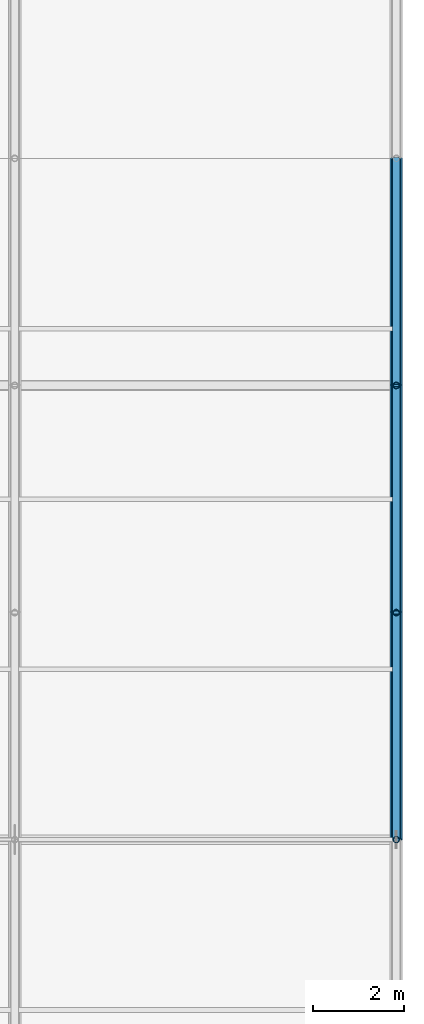
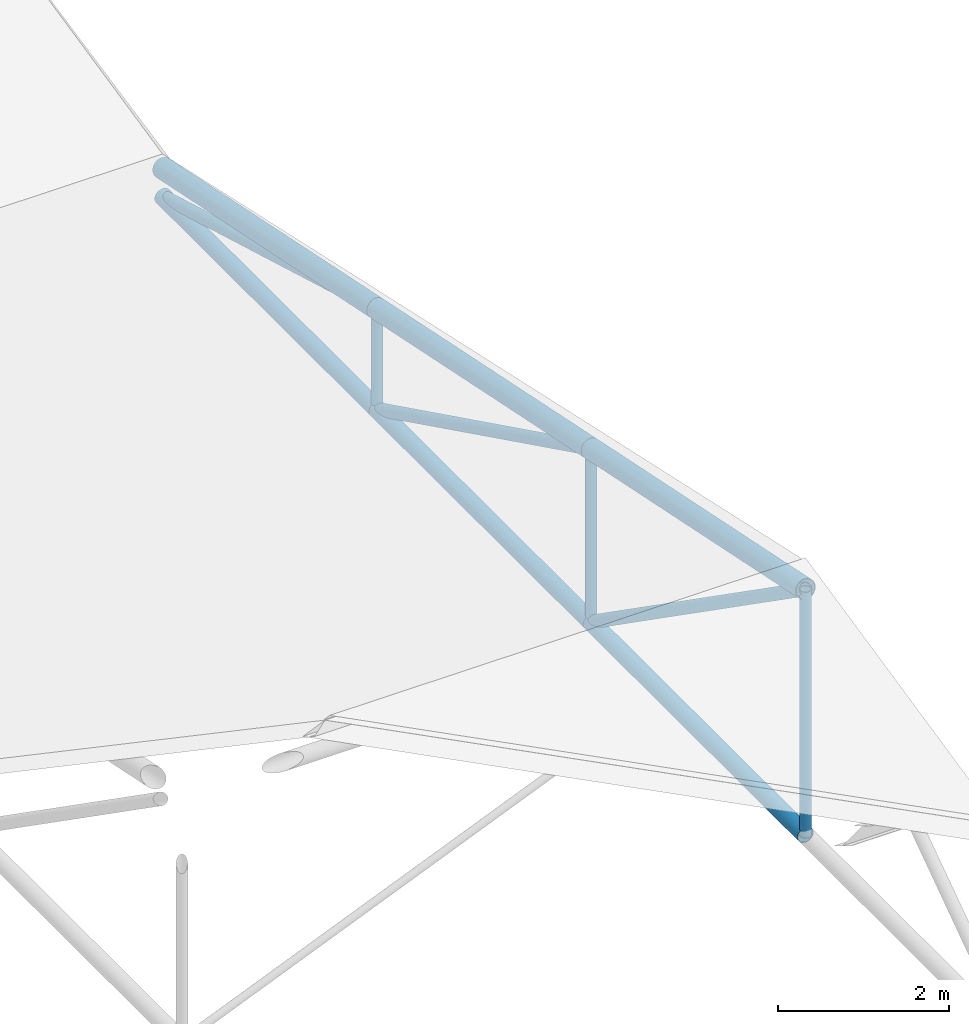
# One storey, part 114 of 194: 12 members.
"""IFC4 building model written with IfcOpenShell, lengths in metres."""

import ifcopenshell
import ifcopenshell.guid

model = None  # the IFC model being written
_history = None  # IfcOwnerHistory: only IFC2X3 demands one
_inside = {}  # id of a spatial element -> (the spatial element, [elements in it])
_under = {}  # id of a project, library or spatial element -> (it, [spatial elements below it])
_declared = {}  # id of a project -> (the project, [libraries it declares])
_typed = {}  # id of a type object -> (the type object, [elements of that type])
_made_of = {}  # id of a material, layer set ... -> (it, [elements and type objects made of it])


def new_model(schema):
    """Start an empty IFC model of exactly this schema.

    Asked for "IFC4X3", IfcOpenShell would pick the latest addendum, in which some entities
    have other attributes; the version numbers below select the first issue.
    IFC2X3 requires an IfcOwnerHistory on every rooted entity: one is made here for all.
    """
    global model, _history
    if schema == "IFC4X3":
        model = ifcopenshell.file(schema_version=(4, 3, 0, 0))
    else:
        model = ifcopenshell.file(schema=schema)
    _inside.clear()
    _under.clear()
    _declared.clear()
    _typed.clear()
    _made_of.clear()
    _history = None
    if model.schema == "IFC2X3":
        org = make("IfcOrganization", Name="unknown")
        user = make(
            "IfcPersonAndOrganization",
            ThePerson=make("IfcPerson", FamilyName="unknown"),
            TheOrganization=org,
        )
        app = make(
            "IfcApplication",
            ApplicationDeveloper=org,
            Version="unknown",
            ApplicationFullName="unknown",
            ApplicationIdentifier="unknown",
        )
        _history = make(
            "IfcOwnerHistory",
            OwningUser=user,
            OwningApplication=app,
            ChangeAction="ADDED",
            CreationDate=0,
        )
    return model


def make(cls, **values):
    """One entity of the class cls with the attributes given. An attribute that is None is left unset."""
    return model.create_entity(
        cls, **{name: value for name, value in values.items() if value is not None}
    )


def rooted(cls, **values):
    """An entity with a GlobalId (a new one), such as an element, a storey or a relation."""
    return make(cls, GlobalId=ifcopenshell.guid.new(), OwnerHistory=_history, **values)


def si_unit(unit_type, name, prefix=None):
    """IfcSIUnit, for example si_unit("LENGTHUNIT", "METRE", prefix="MILLI")."""
    return make("IfcSIUnit", UnitType=unit_type, Prefix=prefix, Name=name)


def assignment(units):
    """IfcUnitAssignment: the units of a project."""
    return None if units is None else make("IfcUnitAssignment", Units=units)


def point(xyz):
    """IfcCartesianPoint."""
    return None if xyz is None else make("IfcCartesianPoint", Coordinates=xyz)


def direction(xyz):
    """IfcDirection."""
    return None if xyz is None else make("IfcDirection", DirectionRatios=xyz)


def frame(location, z_axis=None, x_axis=None):
    """IfcAxis2Placement3D, a coordinate frame: its origin and axes. An axis left out is left unset."""
    return make(
        "IfcAxis2Placement3D",
        Location=point(location),
        Axis=direction(z_axis),
        RefDirection=direction(x_axis),
    )


def frame_2d(location, x_axis=None):
    """IfcAxis2Placement2D, a coordinate frame in the plane: its origin and x axis."""
    return make(
        "IfcAxis2Placement2D", Location=point(location), RefDirection=direction(x_axis)
    )


def origin():
    """The frame at (0, 0, 0) with its axes left unset."""
    return frame((0.0, 0.0, 0.0))


def origin_2d():
    """The frame at (0, 0) in the plane with its x axis left unset."""
    return frame_2d((0.0, 0.0))


def place(relative_to, where):
    """IfcLocalPlacement: puts the frame where relative to a parent placement (None: the world)."""
    return make(
        "IfcLocalPlacement", PlacementRelTo=relative_to, RelativePlacement=where
    )


def context(
    kind, dimensions, precision=None, world=None, true_north=None, identifier=None
):
    """IfcGeometricRepresentationContext, for example the 3D "Model" context."""
    return make(
        "IfcGeometricRepresentationContext",
        ContextIdentifier=identifier,
        ContextType=kind,
        CoordinateSpaceDimension=dimensions,
        Precision=precision,
        WorldCoordinateSystem=world,
        TrueNorth=true_north,
    )


def subcontext(parent, identifier, kind, view, scale=None):
    """IfcGeometricRepresentationSubContext, for example "Body" below "Model"."""
    return make(
        "IfcGeometricRepresentationSubContext",
        ContextIdentifier=identifier,
        ContextType=kind,
        ParentContext=parent,
        TargetScale=scale,
        TargetView=view,
    )


def project(units=None, contexts=None):
    """IfcProject with its units and contexts."""
    return rooted(
        "IfcProject",
        Name="project",
        RepresentationContexts=contexts,
        UnitsInContext=assignment(units),
    )


def spatial(cls, under=None, at=None, **own):
    """A site, building, storey or space (cls), placed at a placement, below another one or the project."""
    s = rooted(cls, ObjectPlacement=at, **own)
    if under is not None:
        _under.setdefault(under.id(), (under, []))[1].append(s)
    return s


def profile(cls, at=None, kind="AREA", **sizes):
    """A parametric profile (cls). Its sizes go by their IFC names, for example OverallWidth=200.0."""
    return make(cls, ProfileType=kind, Position=at, **sizes)


def hollow_circle(**sizes):
    """IfcCircleHollowProfileDef."""
    return profile("IfcCircleHollowProfileDef", **sizes)


def extrude(swept, where, along, depth):
    """IfcExtrudedAreaSolid: the profile swept, set in the frame where, extruded along a direction by depth."""
    return make(
        "IfcExtrudedAreaSolid",
        SweptArea=swept,
        Position=where,
        ExtrudedDirection=direction(along),
        Depth=depth,
    )


def shape(context_of_items, identifier, shape_type, items):
    """IfcShapeRepresentation: the items that make up one representation, for example the "Body"."""
    return make(
        "IfcShapeRepresentation",
        ContextOfItems=context_of_items,
        RepresentationIdentifier=identifier,
        RepresentationType=shape_type,
        Items=items,
    )


def material(Name=None, Category=None):
    """IfcMaterial."""
    return make("IfcMaterial", Name=Name, Category=Category)


def material_profile(
    of_material, cross_section, Name=None, Category=None, Priority=None
):
    """IfcMaterialProfile: a cross section and its material."""
    return make(
        "IfcMaterialProfile",
        Name=Name,
        Material=of_material,
        Profile=cross_section,
        Priority=Priority,
        Category=Category,
    )


def profile_set(profiles, Name=None, composite=None):
    """IfcMaterialProfileSet."""
    return make(
        "IfcMaterialProfileSet",
        Name=Name,
        MaterialProfiles=profiles,
        CompositeProfile=composite,
    )


def made_of(thing, what):
    """Note that an element or type object is made of a material, layer set ...; save() writes the relation."""
    if what is not None:
        _made_of.setdefault(what.id(), (what, []))[1].append(thing)
    return thing


def type_object(cls, material=None, **own):
    """A type object (cls), such as IfcWallType, which elements share."""
    return made_of(rooted(cls, **own), material)


def element(
    cls,
    number,
    at=None,
    inside=None,
    cuts=None,
    type_object=None,
    material=None,
    context=None,
    identifier="Body",
    shape_type=None,
    held_by="IfcProductDefinitionShape",
    body=None,
    shapes=None,
    **own,
):
    """One element of the class cls, such as IfcWall. Its Tag is "e" and its number.

    at: its placement. inside: the storey or other place that contains it. cuts: it is an
    opening in that element (IfcRelVoidsElement). A single representation is given by context,
    identifier, shape_type and body (its items); several are given by shapes. held_by: the class
    of the entity that holds the representations. save() writes the other relations.
    """
    e = rooted(cls, Tag="e%d" % number, ObjectPlacement=at, **own)
    if body is not None:
        shapes = [shape(context, identifier, shape_type, body)]
    if shapes is not None:
        e.Representation = make(held_by, Representations=shapes)
    if inside is not None:
        _inside.setdefault(inside.id(), (inside, []))[1].append(e)
    if cuts is not None:
        rooted(
            "IfcRelVoidsElement", RelatingBuildingElement=cuts, RelatedOpeningElement=e
        )
    if type_object is not None:
        _typed.setdefault(type_object.id(), (type_object, []))[1].append(e)
    return made_of(e, material)


def aggregate(whole, parts):
    """IfcRelAggregates: a whole, such as a stair, and the parts it consists of."""
    return rooted("IfcRelAggregates", RelatingObject=whole, RelatedObjects=parts)


def save(model, path):
    """Write the relations noted so far, then the file.

    IfcRelAggregates (storeys below a building ...), IfcRelContainedInSpatialStructure (elements
    in a storey), IfcRelDefinesByType, IfcRelAssociatesMaterial and IfcRelDeclares: one each for
    every whole, place, type object, material and project.
    """
    for whole, parts in _under.values():
        aggregate(whole, parts)
    for where, things in _inside.values():
        rooted(
            "IfcRelContainedInSpatialStructure",
            RelatedElements=things,
            RelatingStructure=where,
        )
    for kind, things in _typed.values():
        rooted("IfcRelDefinesByType", RelatedObjects=things, RelatingType=kind)
    for what, things in _made_of.values():
        rooted("IfcRelAssociatesMaterial", RelatedObjects=things, RelatingMaterial=what)
    for by, libraries in _declared.values():
        rooted("IfcRelDeclares", RelatingContext=by, RelatedDefinitions=libraries)
    model.write(path)


model = new_model("IFC4")

# Units and contexts
model_context = context("Model", 3, precision=1e-05, world=origin(), true_north=direction((0.0, 1.0)))
body_context = subcontext(model_context, "Body", "Model", "MODEL_VIEW")
ifc_project = project(units=[si_unit("LENGTHUNIT", "METRE"), si_unit("AREAUNIT", "SQUARE_METRE"), si_unit("VOLUMEUNIT", "CUBIC_METRE"), si_unit("PLANEANGLEUNIT", "RADIAN"), si_unit("MASSUNIT", "GRAM", prefix="KILO")], contexts=[model_context])

# Site, building, storey
site_placement = place(None, origin())
site = spatial("IfcSite", under=ifc_project, at=site_placement, CompositionType="ELEMENT")
building_placement = place(site_placement, origin())
building = spatial("IfcBuilding", under=site, at=building_placement, Name="Kazenagashi Tramway Depot", CompositionType="ELEMENT")
storey_placement = place(building_placement, frame((0.0, 0.0, 23.7)))
storey = spatial("IfcBuildingStorey", under=building, at=storey_placement, Name="ROOF", CompositionType="ELEMENT", Elevation=23.7)

# Members
ifc_material = material(Name="Steel STK490", Category="steel")
ifc_material_profile_1 = material_profile(ifc_material, hollow_circle(Radius=0.1337, WallThickness=0.0093, at=origin_2d()), Name="CHS-267.4x9.3")
ifc_profile_set_1 = profile_set([ifc_material_profile_1], Name="Steel STK490")
member_type_1 = type_object("IfcMemberType", Name="TC-01", PredefinedType="CHORD", material=ifc_profile_set_1)
member_1_placement = place(storey_placement, frame((196.0, 85.0, -10.6), z_axis=(0.0, 0.979317999984, -0.202327098797), x_axis=(-1.0, 0.0, 0.0)))
element("IfcMember", 1, at=member_1_placement, inside=storey, type_object=member_type_1, Name="Tubular Space Frame TC-01 MEM-1108", PredefinedType="CHORD", context=body_context, shape_type="SweptSolid", body=[
    extrude(hollow_circle(Radius=0.1337, WallThickness=0.0093, at=origin_2d()), origin(), (0.0, 0.0, 1.0), 5.105594),
])
member_2_placement = place(storey_placement, frame((196.0, 90.0, -11.633), z_axis=(0.0, 0.979279174591, -0.202514933305), x_axis=(-1.0, 0.0, 0.0)))
element("IfcMember", 2, at=member_2_placement, inside=storey, type_object=member_type_1, Name="Tubular Space Frame TC-01 MEM-1111", PredefinedType="CHORD", context=body_context, shape_type="SweptSolid", body=[
    extrude(hollow_circle(Radius=0.1337, WallThickness=0.0093, at=origin_2d()), origin(), (0.0, 0.0, 1.0), 5.105796),
])
member_3_placement = place(storey_placement, frame((196.0, 95.0, -12.667), z_axis=(0.0, 0.979317999984, -0.202327098797), x_axis=(-1.0, 0.0, 0.0)))
element("IfcMember", 3, at=member_3_placement, inside=storey, type_object=member_type_1, Name="Tubular Space Frame TC-01 MEM-1114", PredefinedType="CHORD", context=body_context, shape_type="SweptSolid", body=[
    extrude(hollow_circle(Radius=0.1337, WallThickness=0.0093, at=origin_2d()), origin(), (0.0, 0.0, 1.0), 5.105594),
])
ifc_material_profile_2 = material_profile(ifc_material, hollow_circle(Radius=0.10815, WallThickness=0.0082, at=origin_2d()), Name="CHS-216.3x8.2")
ifc_profile_set_2 = profile_set([ifc_material_profile_2], Name="Steel STK490")
member_type_2 = type_object("IfcMemberType", Name="TC-02", PredefinedType="CHORD", material=ifc_profile_set_2)
for number, where, z_axis, x_axis, name in (
    (4, (196.0, 85.0, -14.1), (0.0, 1.0, 0.0), (-1.0, 0.0, 0.0), "Tubular Space Frame TC-02 MEM-1109"),
    (5, (196.0, 90.0, -14.1), (0.0, 1.0, 0.0), (-1.0, 0.0, 0.0), "Tubular Space Frame TC-02 MEM-1112"),
    (6, (196.0, 95.0, -14.1), (0.0, 1.0, 0.0), (-1.0, 0.0, 0.0), "Tubular Space Frame TC-02 MEM-1115"),
):
    element("IfcMember", number, at=place(storey_placement, frame(where, z_axis=z_axis, x_axis=x_axis)), inside=storey, type_object=member_type_2, Name=name, PredefinedType="CHORD", context=body_context, shape_type="SweptSolid", body=[
        extrude(hollow_circle(Radius=0.10815, WallThickness=0.0082, at=origin_2d()), origin(), (0.0, 0.0, 1.0), 5.0),
    ])
ifc_material_profile_3 = material_profile(ifc_material, hollow_circle(Radius=0.0826, WallThickness=0.0071, at=origin_2d()), Name="CHS-165.2x7.1")
ifc_profile_set_3 = profile_set([ifc_material_profile_3], Name="Steel STK490")
member_type_3 = type_object("IfcMemberType", Name="TS-01", PredefinedType="STRUT", material=ifc_profile_set_3)
member_4_placement = place(storey_placement, frame((196.0, 85.0, -10.6), z_axis=(0.0, 0.819231920519, -0.573462344363), x_axis=(-1.0, 0.0, 0.0)))
element("IfcMember", 7, at=member_4_placement, inside=storey, type_object=member_type_3, Name="Tubular Space Frame TS-01 MEM-1110", PredefinedType="STRUT", context=body_context, shape_type="SweptSolid", body=[
    extrude(hollow_circle(Radius=0.0826, WallThickness=0.0071, at=origin_2d()), origin(), (0.0, 0.0, 1.0), 6.103278),
])
member_5_placement = place(storey_placement, frame((196.0, 90.0, -11.633), z_axis=(0.0, 0.896782162482, -0.442472318969), x_axis=(-1.0, 0.0, 0.0)))
element("IfcMember", 8, at=member_5_placement, inside=storey, type_object=member_type_3, Name="Tubular Space Frame TS-01 MEM-1113", PredefinedType="STRUT", context=body_context, shape_type="SweptSolid", body=[
    extrude(hollow_circle(Radius=0.0826, WallThickness=0.0071, at=origin_2d()), origin(), (0.0, 0.0, 1.0), 5.57549),
])
member_6_placement = place(storey_placement, frame((196.0, 95.0, -12.667), z_axis=(0.0, 0.961298717795, -0.27550821252), x_axis=(-1.0, 0.0, 0.0)))
element("IfcMember", 9, at=member_6_placement, inside=storey, type_object=member_type_3, Name="Tubular Space Frame TS-01 MEM-1116", PredefinedType="STRUT", context=body_context, shape_type="SweptSolid", body=[
    extrude(hollow_circle(Radius=0.0826, WallThickness=0.0071, at=origin_2d()), origin(), (0.0, 0.0, 1.0), 5.201297),
])
ifc_material_profile_4 = material_profile(ifc_material, hollow_circle(Radius=0.0699, WallThickness=0.0066, at=origin_2d()), Name="CHS-139.8x6.6")
ifc_profile_set_4 = profile_set([ifc_material_profile_4], Name="Steel STK490")
member_type_4 = type_object("IfcMemberType", Name="TS-02", PredefinedType="STRUT", material=ifc_profile_set_4)
member_7_placement = place(storey_placement, frame((196.0, 85.0, -14.1), z_axis=(0.0, 0.0, 1.0), x_axis=(1.0, 0.0, 0.0)))
element("IfcMember", 10, at=member_7_placement, inside=storey, type_object=member_type_4, Name="Tubular Space Frame TS-02 MEM-1120", PredefinedType="STRUT", context=body_context, shape_type="SweptSolid", body=[
    extrude(hollow_circle(Radius=0.0699, WallThickness=0.0066, at=origin_2d()), origin(), (0.0, 0.0, 1.0), 3.5),
])
member_8_placement = place(storey_placement, frame((196.0, 90.0, -14.1), z_axis=(0.0, 0.0, 1.0), x_axis=(1.0, 0.0, 0.0)))
element("IfcMember", 11, at=member_8_placement, inside=storey, type_object=member_type_4, Name="Tubular Space Frame TS-02 MEM-1121", PredefinedType="STRUT", context=body_context, shape_type="SweptSolid", body=[
    extrude(hollow_circle(Radius=0.0699, WallThickness=0.0066, at=origin_2d()), origin(), (0.0, 0.0, 1.0), 2.467),
])
member_9_placement = place(storey_placement, frame((196.0, 95.0, -14.1), z_axis=(0.0, 0.0, 1.0), x_axis=(1.0, 0.0, 0.0)))
element("IfcMember", 12, at=member_9_placement, inside=storey, type_object=member_type_4, Name="Tubular Space Frame TS-02 MEM-1122", PredefinedType="STRUT", context=body_context, shape_type="SweptSolid", body=[
    extrude(hollow_circle(Radius=0.0699, WallThickness=0.0066, at=origin_2d()), origin(), (0.0, 0.0, 1.0), 1.433),
])

save(model, "model.ifc")
